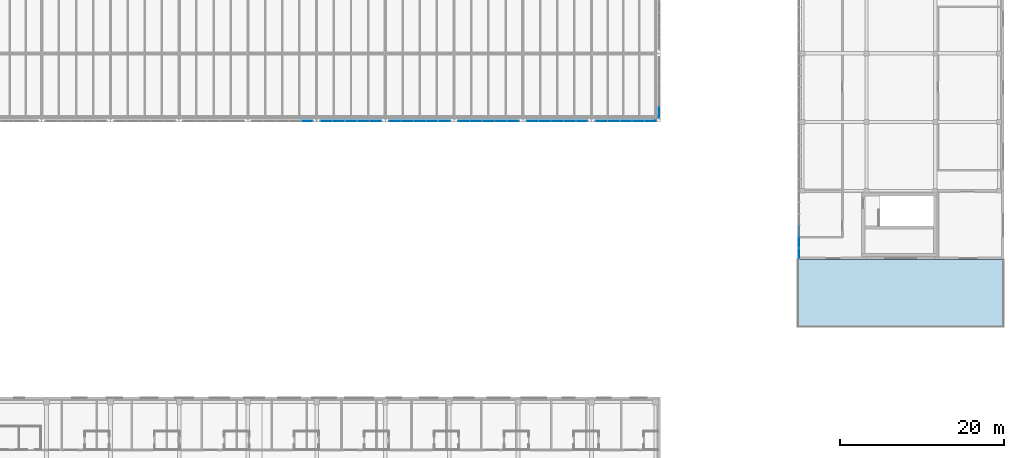
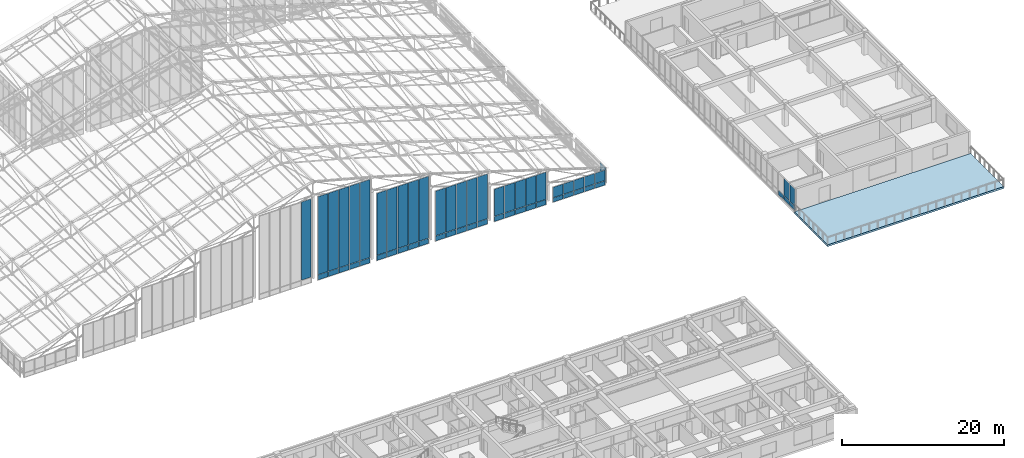
# One storey, part 106 of 144: 58 plates, 1 slab, 8 elements without a shape of their own.
"""IFC4 building model written with IfcOpenShell, lengths in metres."""

import ifcopenshell
import ifcopenshell.guid

model = None  # the IFC model being written
_history = None  # IfcOwnerHistory: only IFC2X3 demands one
_inside = {}  # id of a spatial element -> (the spatial element, [elements in it])
_under = {}  # id of a project, library or spatial element -> (it, [spatial elements below it])
_declared = {}  # id of a project -> (the project, [libraries it declares])
_typed = {}  # id of a type object -> (the type object, [elements of that type])
_made_of = {}  # id of a material, layer set ... -> (it, [elements and type objects made of it])


def new_model(schema):
    """Start an empty IFC model of exactly this schema.

    Asked for "IFC4X3", IfcOpenShell would pick the latest addendum, in which some entities
    have other attributes; the version numbers below select the first issue.
    IFC2X3 requires an IfcOwnerHistory on every rooted entity: one is made here for all.
    """
    global model, _history
    if schema == "IFC4X3":
        model = ifcopenshell.file(schema_version=(4, 3, 0, 0))
    else:
        model = ifcopenshell.file(schema=schema)
    _inside.clear()
    _under.clear()
    _declared.clear()
    _typed.clear()
    _made_of.clear()
    _history = None
    if model.schema == "IFC2X3":
        org = make("IfcOrganization", Name="unknown")
        user = make(
            "IfcPersonAndOrganization",
            ThePerson=make("IfcPerson", FamilyName="unknown"),
            TheOrganization=org,
        )
        app = make(
            "IfcApplication",
            ApplicationDeveloper=org,
            Version="unknown",
            ApplicationFullName="unknown",
            ApplicationIdentifier="unknown",
        )
        _history = make(
            "IfcOwnerHistory",
            OwningUser=user,
            OwningApplication=app,
            ChangeAction="ADDED",
            CreationDate=0,
        )
    return model


def make(cls, **values):
    """One entity of the class cls with the attributes given. An attribute that is None is left unset."""
    return model.create_entity(
        cls, **{name: value for name, value in values.items() if value is not None}
    )


def rooted(cls, **values):
    """An entity with a GlobalId (a new one), such as an element, a storey or a relation."""
    return make(cls, GlobalId=ifcopenshell.guid.new(), OwnerHistory=_history, **values)


def si_unit(unit_type, name, prefix=None):
    """IfcSIUnit, for example si_unit("LENGTHUNIT", "METRE", prefix="MILLI")."""
    return make("IfcSIUnit", UnitType=unit_type, Prefix=prefix, Name=name)


def assignment(units):
    """IfcUnitAssignment: the units of a project."""
    return None if units is None else make("IfcUnitAssignment", Units=units)


def point(xyz):
    """IfcCartesianPoint."""
    return None if xyz is None else make("IfcCartesianPoint", Coordinates=xyz)


def direction(xyz):
    """IfcDirection."""
    return None if xyz is None else make("IfcDirection", DirectionRatios=xyz)


def frame(location, z_axis=None, x_axis=None):
    """IfcAxis2Placement3D, a coordinate frame: its origin and axes. An axis left out is left unset."""
    return make(
        "IfcAxis2Placement3D",
        Location=point(location),
        Axis=direction(z_axis),
        RefDirection=direction(x_axis),
    )


def frame_2d(location, x_axis=None):
    """IfcAxis2Placement2D, a coordinate frame in the plane: its origin and x axis."""
    return make(
        "IfcAxis2Placement2D", Location=point(location), RefDirection=direction(x_axis)
    )


def origin():
    """The frame at (0, 0, 0) with its axes left unset."""
    return frame((0.0, 0.0, 0.0))


def origin_2d():
    """The frame at (0, 0) in the plane with its x axis left unset."""
    return frame_2d((0.0, 0.0))


def place(relative_to, where):
    """IfcLocalPlacement: puts the frame where relative to a parent placement (None: the world)."""
    return make(
        "IfcLocalPlacement", PlacementRelTo=relative_to, RelativePlacement=where
    )


def context(
    kind, dimensions, precision=None, world=None, true_north=None, identifier=None
):
    """IfcGeometricRepresentationContext, for example the 3D "Model" context."""
    return make(
        "IfcGeometricRepresentationContext",
        ContextIdentifier=identifier,
        ContextType=kind,
        CoordinateSpaceDimension=dimensions,
        Precision=precision,
        WorldCoordinateSystem=world,
        TrueNorth=true_north,
    )


def subcontext(parent, identifier, kind, view, scale=None):
    """IfcGeometricRepresentationSubContext, for example "Body" below "Model"."""
    return make(
        "IfcGeometricRepresentationSubContext",
        ContextIdentifier=identifier,
        ContextType=kind,
        ParentContext=parent,
        TargetScale=scale,
        TargetView=view,
    )


def project(units=None, contexts=None):
    """IfcProject with its units and contexts."""
    return rooted(
        "IfcProject",
        Name="project",
        RepresentationContexts=contexts,
        UnitsInContext=assignment(units),
    )


def spatial(cls, under=None, at=None, **own):
    """A site, building, storey or space (cls), placed at a placement, below another one or the project."""
    s = rooted(cls, ObjectPlacement=at, **own)
    if under is not None:
        _under.setdefault(under.id(), (under, []))[1].append(s)
    return s


def polyline(points):
    """IfcPolyline through the points."""
    return make("IfcPolyline", Points=[point(p) for p in points])


def profile(cls, at=None, kind="AREA", **sizes):
    """A parametric profile (cls). Its sizes go by their IFC names, for example OverallWidth=200.0."""
    return make(cls, ProfileType=kind, Position=at, **sizes)


def rectangle(**sizes):
    """IfcRectangleProfileDef."""
    return profile("IfcRectangleProfileDef", **sizes)


def outline(outer, holes=None, kind="AREA"):
    """IfcArbitraryClosedProfileDef: a profile drawn as a closed curve; with holes, ...WithVoids."""
    if holes is None:
        return make("IfcArbitraryClosedProfileDef", ProfileType=kind, OuterCurve=outer)
    return make(
        "IfcArbitraryProfileDefWithVoids",
        ProfileType=kind,
        OuterCurve=outer,
        InnerCurves=holes,
    )


def extrude(swept, where, along, depth):
    """IfcExtrudedAreaSolid: the profile swept, set in the frame where, extruded along a direction by depth."""
    return make(
        "IfcExtrudedAreaSolid",
        SweptArea=swept,
        Position=where,
        ExtrudedDirection=direction(along),
        Depth=depth,
    )


def shape(context_of_items, identifier, shape_type, items):
    """IfcShapeRepresentation: the items that make up one representation, for example the "Body"."""
    return make(
        "IfcShapeRepresentation",
        ContextOfItems=context_of_items,
        RepresentationIdentifier=identifier,
        RepresentationType=shape_type,
        Items=items,
    )


def material(Name=None, Category=None):
    """IfcMaterial."""
    return make("IfcMaterial", Name=Name, Category=Category)


def layer(
    of_material, thickness, ventilated=None, Name=None, Category=None, Priority=None
):
    """IfcMaterialLayer: one layer of a wall or slab, of a material (None: an air gap)."""
    return make(
        "IfcMaterialLayer",
        Material=of_material,
        LayerThickness=thickness,
        IsVentilated=ventilated,
        Name=Name,
        Category=Category,
        Priority=Priority,
    )


def layer_set(layers, Name=None):
    """IfcMaterialLayerSet."""
    return make("IfcMaterialLayerSet", MaterialLayers=layers, LayerSetName=Name)


def made_of(thing, what):
    """Note that an element or type object is made of a material, layer set ...; save() writes the relation."""
    if what is not None:
        _made_of.setdefault(what.id(), (what, []))[1].append(thing)
    return thing


def type_object(cls, material=None, **own):
    """A type object (cls), such as IfcWallType, which elements share."""
    return made_of(rooted(cls, **own), material)


def element(
    cls,
    number,
    at=None,
    inside=None,
    cuts=None,
    type_object=None,
    material=None,
    context=None,
    identifier="Body",
    shape_type=None,
    held_by="IfcProductDefinitionShape",
    body=None,
    shapes=None,
    **own,
):
    """One element of the class cls, such as IfcWall. Its Tag is "e" and its number.

    at: its placement. inside: the storey or other place that contains it. cuts: it is an
    opening in that element (IfcRelVoidsElement). A single representation is given by context,
    identifier, shape_type and body (its items); several are given by shapes. held_by: the class
    of the entity that holds the representations. save() writes the other relations.
    """
    e = rooted(cls, Tag="e%d" % number, ObjectPlacement=at, **own)
    if body is not None:
        shapes = [shape(context, identifier, shape_type, body)]
    if shapes is not None:
        e.Representation = make(held_by, Representations=shapes)
    if inside is not None:
        _inside.setdefault(inside.id(), (inside, []))[1].append(e)
    if cuts is not None:
        rooted(
            "IfcRelVoidsElement", RelatingBuildingElement=cuts, RelatedOpeningElement=e
        )
    if type_object is not None:
        _typed.setdefault(type_object.id(), (type_object, []))[1].append(e)
    return made_of(e, material)


def aggregate(whole, parts):
    """IfcRelAggregates: a whole, such as a stair, and the parts it consists of."""
    return rooted("IfcRelAggregates", RelatingObject=whole, RelatedObjects=parts)


def save(model, path):
    """Write the relations noted so far, then the file.

    IfcRelAggregates (storeys below a building ...), IfcRelContainedInSpatialStructure (elements
    in a storey), IfcRelDefinesByType, IfcRelAssociatesMaterial and IfcRelDeclares: one each for
    every whole, place, type object, material and project.
    """
    for whole, parts in _under.values():
        aggregate(whole, parts)
    for where, things in _inside.values():
        rooted(
            "IfcRelContainedInSpatialStructure",
            RelatedElements=things,
            RelatingStructure=where,
        )
    for kind, things in _typed.values():
        rooted("IfcRelDefinesByType", RelatedObjects=things, RelatingType=kind)
    for what, things in _made_of.values():
        rooted("IfcRelAssociatesMaterial", RelatedObjects=things, RelatingMaterial=what)
    for by, libraries in _declared.values():
        rooted("IfcRelDeclares", RelatingContext=by, RelatedDefinitions=libraries)
    model.write(path)


model = new_model("IFC4")

# Units and contexts
model_context = context("Model", 3, precision=1e-05, world=origin(), true_north=direction((0.0, 1.0)))
body_context = subcontext(model_context, "Body", "Model", "MODEL_VIEW")
ifc_project = project(units=[si_unit("LENGTHUNIT", "METRE"), si_unit("AREAUNIT", "SQUARE_METRE"), si_unit("VOLUMEUNIT", "CUBIC_METRE"), si_unit("PLANEANGLEUNIT", "RADIAN"), si_unit("MASSUNIT", "GRAM", prefix="KILO")], contexts=[model_context])

# Site, building, storey
site_placement = place(None, origin())
site = spatial("IfcSite", under=ifc_project, at=site_placement, CompositionType="ELEMENT")
building_placement = place(site_placement, origin())
building = spatial("IfcBuilding", under=site, at=building_placement, Name="Zayran Congress Hotel", CompositionType="ELEMENT")
storey_placement = place(building_placement, frame((0.0, 0.0, 19.199951171875)))
storey = spatial("IfcBuildingStorey", under=building, at=storey_placement, Name="L04", CompositionType="ELEMENT", Elevation=19.199951171875)

# Slab
ifc_material_1 = material(Name="Concrete C32/40", Category="concrete")
ifc_layer_1 = layer(ifc_material_1, 0.280029296875)
ifc_layer_set_1 = layer_set([ifc_layer_1], Name="Concrete C32/40")
slab_type = type_object("IfcSlabType", Name="SL-TR-280", PredefinedType="FLOOR", material=ifc_layer_set_1)
slab_placement = place(storey_placement, frame((0.0, 0.0, -0.280029296875)))
element("IfcSlab", 1, at=slab_placement, inside=storey, type_object=slab_type, Name="V4 L04 Planted Roof Terrace Slab 1", PredefinedType="FLOOR", context=body_context, shape_type="SweptSolid", body=[
    extrude(outline(polyline([(109.199951171875, 42.550048828125), (134.39990234375, 42.550048828125), (134.39990234375, 50.800048828125), (109.199951171875, 50.800048828125), (109.199951171875, 42.550048828125)])), origin(), (0.0, 0.0, 1.0), 0.280029296875),
])

# Curtain wall, plates
ifc_material_2 = material(Name="Anodised aluminium and low-E insulated glass", Category="aluminium")
ifc_layer_2 = layer(ifc_material_2, 0.179931640625)
ifc_layer_set_2 = layer_set([ifc_layer_2], Name="Anodised aluminium and low-E insulated glass")
curtain_wall_type_1 = type_object("IfcCurtainWallType", Name="CW-V1CL-L04-CW-13-7560-12720", PredefinedType="USERDEFINED", material=ifc_layer_set_2)
curtain_wall_1_placement = place(storey_placement, origin())
curtain_wall_1 = element("IfcCurtainWall", 2, at=curtain_wall_1_placement, inside=storey, type_object=curtain_wall_type_1, Name="CW-V1CLS-5", ObjectType="CURTAIN WALL", PredefinedType="USERDEFINED")
ifc_material_3 = material(Name="Insulated warm bronze aluminium spandrel panel", Category="aluminium")
ifc_layer_3 = layer(ifc_material_3, 0.06005859375)
ifc_layer_set_3 = layer_set([ifc_layer_3], Name="Insulated warm bronze aluminium spandrel panel")
plate_type_1 = type_object("IfcPlateType", Name="CWP-SP-1392-750", PredefinedType="CURTAIN_PANEL", material=ifc_layer_set_3)
plate_1_placement = place(storey_placement, frame((51.595947265625, 67.75, -0.159912109375), z_axis=(0.0, 0.0, 1.0), x_axis=(1.0, 0.0, 0.0)))
plate_1 = element("IfcPlate", 3, at=plate_1_placement, type_object=plate_type_1, Name="CW-13 Spandrel Panel 1", PredefinedType="CURTAIN_PANEL", context=body_context, shape_type="SweptSolid", body=[
    extrude(rectangle(XDim=1.39208984375, YDim=0.06005859375, at=origin_2d()), origin(), (0.0, 0.0, 1.0), 0.75),
])
plate_2_placement = place(storey_placement, frame((53.087890625, 67.75, -0.159912109375), z_axis=(0.0, 0.0, 1.0), x_axis=(1.0, 0.0, 0.0)))
plate_2 = element("IfcPlate", 4, at=plate_2_placement, type_object=plate_type_1, Name="CW-13 Spandrel Panel 2", PredefinedType="CURTAIN_PANEL", context=body_context, shape_type="SweptSolid", body=[
    extrude(rectangle(XDim=1.431884765625, YDim=0.06005859375, at=origin_2d()), origin(), (0.0, 0.0, 1.0), 0.75),
])
plate_3_placement = place(storey_placement, frame((54.60009765625, 67.75, -0.159912109375), z_axis=(0.0, 0.0, 1.0), x_axis=(1.0, 0.0, 0.0)))
plate_3 = element("IfcPlate", 5, at=plate_3_placement, type_object=plate_type_1, Name="CW-13 Spandrel Panel 3", PredefinedType="CURTAIN_PANEL", context=body_context, shape_type="SweptSolid", body=[
    extrude(rectangle(XDim=1.431884765625, YDim=0.06005859375, at=origin_2d()), origin(), (0.0, 0.0, 1.0), 0.75),
])
plate_4_placement = place(storey_placement, frame((56.112060546875, 67.75, -0.159912109375), z_axis=(0.0, 0.0, 1.0), x_axis=(1.0, 0.0, 0.0)))
plate_4 = element("IfcPlate", 6, at=plate_4_placement, type_object=plate_type_1, Name="CW-13 Spandrel Panel 4", PredefinedType="CURTAIN_PANEL", context=body_context, shape_type="SweptSolid", body=[
    extrude(rectangle(XDim=1.431884765625, YDim=0.06005859375, at=origin_2d()), origin(), (0.0, 0.0, 1.0), 0.75),
])
plate_5_placement = place(storey_placement, frame((57.60400390625, 67.75, -0.159912109375), z_axis=(0.0, 0.0, 1.0), x_axis=(1.0, 0.0, 0.0)))
plate_5 = element("IfcPlate", 7, at=plate_5_placement, type_object=plate_type_1, Name="CW-13 Spandrel Panel 5", PredefinedType="CURTAIN_PANEL", context=body_context, shape_type="SweptSolid", body=[
    extrude(rectangle(XDim=1.39208984375, YDim=0.06005859375, at=origin_2d()), origin(), (0.0, 0.0, 1.0), 0.75),
])

ifc_layer_4 = layer(ifc_material_2, 0.179931640625)
ifc_layer_set_4 = layer_set([ifc_layer_4], Name="Anodised aluminium and low-E insulated glass")
curtain_wall_type_2 = type_object("IfcCurtainWallType", Name="CW-V1CL-L04-CW-11-7560-10270", PredefinedType="USERDEFINED", material=ifc_layer_set_4)
curtain_wall_2_placement = place(storey_placement, origin())
curtain_wall_2 = element("IfcCurtainWall", 8, at=curtain_wall_2_placement, inside=storey, type_object=curtain_wall_type_2, Name="CW-V1CLS-6", ObjectType="CURTAIN WALL", PredefinedType="USERDEFINED")
plate_6_placement = place(storey_placement, frame((59.99609375, 67.75, -0.159912109375), z_axis=(0.0, 0.0, 1.0), x_axis=(1.0, 0.0, 0.0)))
plate_6 = element("IfcPlate", 9, at=plate_6_placement, type_object=plate_type_1, Name="CW-11 Spandrel Panel 1", PredefinedType="CURTAIN_PANEL", context=body_context, shape_type="SweptSolid", body=[
    extrude(rectangle(XDim=1.39208984375, YDim=0.06005859375, at=origin_2d()), origin(), (0.0, 0.0, 1.0), 0.75),
])
plate_7_placement = place(storey_placement, frame((61.488037109375, 67.75, -0.159912109375), z_axis=(0.0, 0.0, 1.0), x_axis=(1.0, 0.0, 0.0)))
plate_7 = element("IfcPlate", 10, at=plate_7_placement, type_object=plate_type_1, Name="CW-11 Spandrel Panel 2", PredefinedType="CURTAIN_PANEL", context=body_context, shape_type="SweptSolid", body=[
    extrude(rectangle(XDim=1.431884765625, YDim=0.06005859375, at=origin_2d()), origin(), (0.0, 0.0, 1.0), 0.75),
])
plate_8_placement = place(storey_placement, frame((63.0, 67.75, -0.159912109375), z_axis=(0.0, 0.0, 1.0), x_axis=(1.0, 0.0, 0.0)))
plate_8 = element("IfcPlate", 11, at=plate_8_placement, type_object=plate_type_1, Name="CW-11 Spandrel Panel 3", PredefinedType="CURTAIN_PANEL", context=body_context, shape_type="SweptSolid", body=[
    extrude(rectangle(XDim=1.431884765625, YDim=0.06005859375, at=origin_2d()), origin(), (0.0, 0.0, 1.0), 0.75),
])
plate_9_placement = place(storey_placement, frame((64.511962890625, 67.75, -0.159912109375), z_axis=(0.0, 0.0, 1.0), x_axis=(1.0, 0.0, 0.0)))
plate_9 = element("IfcPlate", 12, at=plate_9_placement, type_object=plate_type_1, Name="CW-11 Spandrel Panel 4", PredefinedType="CURTAIN_PANEL", context=body_context, shape_type="SweptSolid", body=[
    extrude(rectangle(XDim=1.431884765625, YDim=0.06005859375, at=origin_2d()), origin(), (0.0, 0.0, 1.0), 0.75),
])
plate_10_placement = place(storey_placement, frame((66.00390625, 67.75, -0.159912109375), z_axis=(0.0, 0.0, 1.0), x_axis=(1.0, 0.0, 0.0)))
plate_10 = element("IfcPlate", 13, at=plate_10_placement, type_object=plate_type_1, Name="CW-11 Spandrel Panel 5", PredefinedType="CURTAIN_PANEL", context=body_context, shape_type="SweptSolid", body=[
    extrude(rectangle(XDim=1.39208984375, YDim=0.06005859375, at=origin_2d()), origin(), (0.0, 0.0, 1.0), 0.75),
])

ifc_layer_5 = layer(ifc_material_2, 0.179931640625)
ifc_layer_set_5 = layer_set([ifc_layer_5], Name="Anodised aluminium and low-E insulated glass")
curtain_wall_type_3 = type_object("IfcCurtainWallType", Name="CW-V1CL-L04-CW-12-7560-7670", PredefinedType="USERDEFINED", material=ifc_layer_set_5)
curtain_wall_3_placement = place(storey_placement, origin())
curtain_wall_3 = element("IfcCurtainWall", 14, at=curtain_wall_3_placement, inside=storey, type_object=curtain_wall_type_3, Name="CW-V1CLS-7", ObjectType="CURTAIN WALL", PredefinedType="USERDEFINED")
plate_11_placement = place(storey_placement, frame((68.39599609375, 67.75, -0.159912109375), z_axis=(0.0, 0.0, 1.0), x_axis=(1.0, 0.0, 0.0)))
plate_11 = element("IfcPlate", 15, at=plate_11_placement, type_object=plate_type_1, Name="CW-12 Spandrel Panel 1", PredefinedType="CURTAIN_PANEL", context=body_context, shape_type="SweptSolid", body=[
    extrude(rectangle(XDim=1.39208984375, YDim=0.06005859375, at=origin_2d()), origin(), (0.0, 0.0, 1.0), 0.75),
])
plate_12_placement = place(storey_placement, frame((69.887939453125, 67.75, -0.159912109375), z_axis=(0.0, 0.0, 1.0), x_axis=(1.0, 0.0, 0.0)))
plate_12 = element("IfcPlate", 16, at=plate_12_placement, type_object=plate_type_1, Name="CW-12 Spandrel Panel 2", PredefinedType="CURTAIN_PANEL", context=body_context, shape_type="SweptSolid", body=[
    extrude(rectangle(XDim=1.431884765625, YDim=0.06005859375, at=origin_2d()), origin(), (0.0, 0.0, 1.0), 0.75),
])
plate_13_placement = place(storey_placement, frame((71.39990234375, 67.75, -0.159912109375), z_axis=(0.0, 0.0, 1.0), x_axis=(1.0, 0.0, 0.0)))
plate_13 = element("IfcPlate", 17, at=plate_13_placement, type_object=plate_type_1, Name="CW-12 Spandrel Panel 3", PredefinedType="CURTAIN_PANEL", context=body_context, shape_type="SweptSolid", body=[
    extrude(rectangle(XDim=1.431884765625, YDim=0.06005859375, at=origin_2d()), origin(), (0.0, 0.0, 1.0), 0.75),
])
plate_14_placement = place(storey_placement, frame((72.912109375, 67.75, -0.159912109375), z_axis=(0.0, 0.0, 1.0), x_axis=(1.0, 0.0, 0.0)))
plate_14 = element("IfcPlate", 18, at=plate_14_placement, type_object=plate_type_1, Name="CW-12 Spandrel Panel 4", PredefinedType="CURTAIN_PANEL", context=body_context, shape_type="SweptSolid", body=[
    extrude(rectangle(XDim=1.431884765625, YDim=0.06005859375, at=origin_2d()), origin(), (0.0, 0.0, 1.0), 0.75),
])
plate_15_placement = place(storey_placement, frame((74.404052734375, 67.75, -0.159912109375), z_axis=(0.0, 0.0, 1.0), x_axis=(1.0, 0.0, 0.0)))
plate_15 = element("IfcPlate", 19, at=plate_15_placement, type_object=plate_type_1, Name="CW-12 Spandrel Panel 5", PredefinedType="CURTAIN_PANEL", context=body_context, shape_type="SweptSolid", body=[
    extrude(rectangle(XDim=1.39208984375, YDim=0.06005859375, at=origin_2d()), origin(), (0.0, 0.0, 1.0), 0.75),
])

ifc_layer_6 = layer(ifc_material_2, 0.179931640625)
ifc_layer_set_6 = layer_set([ifc_layer_6], Name="Anodised aluminium and low-E insulated glass")
curtain_wall_type_4 = type_object("IfcCurtainWallType", Name="CW-V1CL-L04-CW-13-7560-5020", PredefinedType="USERDEFINED", material=ifc_layer_set_6)
curtain_wall_4_placement = place(storey_placement, origin())
curtain_wall_4 = element("IfcCurtainWall", 20, at=curtain_wall_4_placement, inside=storey, type_object=curtain_wall_type_4, Name="CW-V1CLS-8", ObjectType="CURTAIN WALL", PredefinedType="USERDEFINED")
plate_16_placement = place(storey_placement, frame((76.7958984375, 67.75, -0.159912109375), z_axis=(0.0, 0.0, 1.0), x_axis=(1.0, 0.0, 0.0)))
plate_16 = element("IfcPlate", 21, at=plate_16_placement, type_object=plate_type_1, Name="CW-13 Spandrel Panel 1", PredefinedType="CURTAIN_PANEL", context=body_context, shape_type="SweptSolid", body=[
    extrude(rectangle(XDim=1.39208984375, YDim=0.06005859375, at=origin_2d()), origin(), (0.0, 0.0, 1.0), 0.75),
])
plate_17_placement = place(storey_placement, frame((78.2880859375, 67.75, -0.159912109375), z_axis=(0.0, 0.0, 1.0), x_axis=(1.0, 0.0, 0.0)))
plate_17 = element("IfcPlate", 22, at=plate_17_placement, type_object=plate_type_1, Name="CW-13 Spandrel Panel 2", PredefinedType="CURTAIN_PANEL", context=body_context, shape_type="SweptSolid", body=[
    extrude(rectangle(XDim=1.431884765625, YDim=0.06005859375, at=origin_2d()), origin(), (0.0, 0.0, 1.0), 0.75),
])
plate_18_placement = place(storey_placement, frame((79.800048828125, 67.75, -0.159912109375), z_axis=(0.0, 0.0, 1.0), x_axis=(1.0, 0.0, 0.0)))
plate_18 = element("IfcPlate", 23, at=plate_18_placement, type_object=plate_type_1, Name="CW-13 Spandrel Panel 3", PredefinedType="CURTAIN_PANEL", context=body_context, shape_type="SweptSolid", body=[
    extrude(rectangle(XDim=1.431884765625, YDim=0.06005859375, at=origin_2d()), origin(), (0.0, 0.0, 1.0), 0.75),
])
plate_19_placement = place(storey_placement, frame((81.31201171875, 67.75, -0.159912109375), z_axis=(0.0, 0.0, 1.0), x_axis=(1.0, 0.0, 0.0)))
plate_19 = element("IfcPlate", 24, at=plate_19_placement, type_object=plate_type_1, Name="CW-13 Spandrel Panel 4", PredefinedType="CURTAIN_PANEL", context=body_context, shape_type="SweptSolid", body=[
    extrude(rectangle(XDim=1.431884765625, YDim=0.06005859375, at=origin_2d()), origin(), (0.0, 0.0, 1.0), 0.75),
])
plate_20_placement = place(storey_placement, frame((82.803955078125, 67.75, -0.159912109375), z_axis=(0.0, 0.0, 1.0), x_axis=(1.0, 0.0, 0.0)))
plate_20 = element("IfcPlate", 25, at=plate_20_placement, type_object=plate_type_1, Name="CW-13 Spandrel Panel 5", PredefinedType="CURTAIN_PANEL", context=body_context, shape_type="SweptSolid", body=[
    extrude(rectangle(XDim=1.39208984375, YDim=0.06005859375, at=origin_2d()), origin(), (0.0, 0.0, 1.0), 0.75),
])

ifc_layer_7 = layer(ifc_material_2, 0.179931640625)
ifc_layer_set_7 = layer_set([ifc_layer_7], Name="Anodised aluminium and low-E insulated glass")
curtain_wall_type_5 = type_object("IfcCurtainWallType", Name="CW-V4W-L04-CW-51-8395-3360", PredefinedType="USERDEFINED", material=ifc_layer_set_7)
curtain_wall_5_placement = place(storey_placement, origin())
curtain_wall_5 = element("IfcCurtainWall", 26, at=curtain_wall_5_placement, inside=storey, type_object=curtain_wall_type_5, Name="CW-V4W-L04-0", ObjectType="CURTAIN WALL", PredefinedType="USERDEFINED")
ifc_layer_8 = layer(ifc_material_2, 0.028076171875)
ifc_layer_set_8 = layer_set([ifc_layer_8], Name="Anodised aluminium and low-E insulated glass")
plate_type_2 = type_object("IfcPlateType", Name="CWP-GL-1279-2550", PredefinedType="CURTAIN_PANEL", material=ifc_layer_set_8)
plate_21_placement = place(storey_placement, frame((109.35009765625, 52.898681640625, 0.75), z_axis=(0.0, 0.0, 1.0), x_axis=(0.0, 1.0, 0.0)))
plate_21 = element("IfcPlate", 27, at=plate_21_placement, type_object=plate_type_2, Name="CW-51 Glazed Panel 5", PredefinedType="CURTAIN_PANEL", context=body_context, shape_type="SweptSolid", body=[
    extrude(rectangle(XDim=1.319091796875, YDim=0.028076171875, at=origin_2d()), origin(), (0.0, 0.0, 1.0), 2.550048828125),
])
plate_22_placement = place(storey_placement, frame((109.35009765625, 51.51953125, 0.75), z_axis=(0.0, 0.0, 1.0), x_axis=(0.0, 1.0, 0.0)))
plate_22 = element("IfcPlate", 28, at=plate_22_placement, type_object=plate_type_2, Name="CW-51 Glazed Panel 6", PredefinedType="CURTAIN_PANEL", context=body_context, shape_type="SweptSolid", body=[
    extrude(rectangle(XDim=1.279296875, YDim=0.028076171875, at=origin_2d()), origin(), (0.0, 0.0, 1.0), 2.550048828125),
])
ifc_layer_9 = layer(ifc_material_3, 0.06005859375)
ifc_layer_set_9 = layer_set([ifc_layer_9], Name="Insulated warm bronze aluminium spandrel panel")
plate_type_3 = type_object("IfcPlateType", Name="CWP-SP-1279-630", PredefinedType="CURTAIN_PANEL", material=ifc_layer_set_9)
plate_23_placement = place(storey_placement, frame((109.35009765625, 54.2978515625, 0.06005859375), z_axis=(0.0, 0.0, 1.0), x_axis=(0.0, 1.0, 0.0)))
plate_23 = element("IfcPlate", 29, at=plate_23_placement, type_object=plate_type_3, Name="CW-51 Spandrel Panel 4", PredefinedType="CURTAIN_PANEL", context=body_context, shape_type="SweptSolid", body=[
    extrude(rectangle(XDim=1.319091796875, YDim=0.06005859375, at=origin_2d()), origin(), (0.0, 0.0, 1.0), 0.6298828125),
])
plate_24_placement = place(storey_placement, frame((109.35009765625, 52.898681640625, 0.06005859375), z_axis=(0.0, 0.0, 1.0), x_axis=(0.0, 1.0, 0.0)))
plate_24 = element("IfcPlate", 30, at=plate_24_placement, type_object=plate_type_3, Name="CW-51 Spandrel Panel 5", PredefinedType="CURTAIN_PANEL", context=body_context, shape_type="SweptSolid", body=[
    extrude(rectangle(XDim=1.319091796875, YDim=0.06005859375, at=origin_2d()), origin(), (0.0, 0.0, 1.0), 0.6298828125),
])
plate_25_placement = place(storey_placement, frame((109.35009765625, 51.51953125, 0.06005859375), z_axis=(0.0, 0.0, 1.0), x_axis=(0.0, 1.0, 0.0)))
plate_25 = element("IfcPlate", 31, at=plate_25_placement, type_object=plate_type_3, Name="CW-51 Spandrel Panel 6", PredefinedType="CURTAIN_PANEL", context=body_context, shape_type="SweptSolid", body=[
    extrude(rectangle(XDim=1.279296875, YDim=0.06005859375, at=origin_2d()), origin(), (0.0, 0.0, 1.0), 0.6298828125),
])
aggregate(curtain_wall_5, [plate_23, plate_24, plate_21, plate_25, plate_22])

# Curtain wall, plate
ifc_layer_10 = layer(ifc_material_2, 0.179931640625)
ifc_layer_set_10 = layer_set([ifc_layer_10], Name="Anodised aluminium and low-E insulated glass")
curtain_wall_type_6 = type_object("IfcCurtainWallType", Name="CW-V1CL-L04-CW-41-7560-2370", PredefinedType="USERDEFINED", material=ifc_layer_set_10)
curtain_wall_6_placement = place(storey_placement, origin())
curtain_wall_6 = element("IfcCurtainWall", 32, at=curtain_wall_6_placement, inside=storey, type_object=curtain_wall_type_6, Name="CW-V1CLE-0", ObjectType="CURTAIN WALL", PredefinedType="USERDEFINED")
ifc_layer_11 = layer(ifc_material_3, 0.06005859375)
ifc_layer_set_11 = layer_set([ifc_layer_11], Name="Insulated warm bronze aluminium spandrel panel")
plate_type_4 = type_object("IfcPlateType", Name="CWP-SP-1392-630", PredefinedType="CURTAIN_PANEL", material=ifc_layer_set_11)
plate_26_placement = place(storey_placement, frame((92.25, 68.7958984375, -0.159912109375), z_axis=(0.0, 0.0, 1.0), x_axis=(0.0, 1.0, 0.0)))
plate_26 = element("IfcPlate", 33, at=plate_26_placement, type_object=plate_type_4, Name="CW-41 Spandrel Panel 1", PredefinedType="CURTAIN_PANEL", context=body_context, shape_type="SweptSolid", body=[
    extrude(rectangle(XDim=1.39208984375, YDim=0.06005859375, at=origin_2d()), origin(), (0.0, 0.0, 1.0), 0.6298828125),
])

# Curtain wall, plates
ifc_layer_12 = layer(ifc_material_2, 0.179931640625)
ifc_layer_set_12 = layer_set([ifc_layer_12], Name="Anodised aluminium and low-E insulated glass")
curtain_wall_type_7 = type_object("IfcCurtainWallType", Name="CW-V1CL-L04-CW-11-7560-2370", PredefinedType="USERDEFINED", material=ifc_layer_set_12)
curtain_wall_7_placement = place(storey_placement, origin())
curtain_wall_7 = element("IfcCurtainWall", 34, at=curtain_wall_7_placement, inside=storey, type_object=curtain_wall_type_7, Name="CW-V1CLS-9", ObjectType="CURTAIN WALL", PredefinedType="USERDEFINED")
plate_27_placement = place(storey_placement, frame((85.196044921875, 67.75, -0.159912109375), z_axis=(0.0, 0.0, 1.0), x_axis=(1.0, 0.0, 0.0)))
plate_27 = element("IfcPlate", 35, at=plate_27_placement, type_object=plate_type_4, Name="CW-11 Spandrel Panel 1", PredefinedType="CURTAIN_PANEL", context=body_context, shape_type="SweptSolid", body=[
    extrude(rectangle(XDim=1.39208984375, YDim=0.06005859375, at=origin_2d()), origin(), (0.0, 0.0, 1.0), 0.6298828125),
])
plate_28_placement = place(storey_placement, frame((86.68798828125, 67.75, -0.159912109375), z_axis=(0.0, 0.0, 1.0), x_axis=(1.0, 0.0, 0.0)))
plate_28 = element("IfcPlate", 36, at=plate_28_placement, type_object=plate_type_4, Name="CW-11 Spandrel Panel 2", PredefinedType="CURTAIN_PANEL", context=body_context, shape_type="SweptSolid", body=[
    extrude(rectangle(XDim=1.431884765625, YDim=0.06005859375, at=origin_2d()), origin(), (0.0, 0.0, 1.0), 0.6298828125),
])
plate_29_placement = place(storey_placement, frame((88.199951171875, 67.75, -0.159912109375), z_axis=(0.0, 0.0, 1.0), x_axis=(1.0, 0.0, 0.0)))
plate_29 = element("IfcPlate", 37, at=plate_29_placement, type_object=plate_type_4, Name="CW-11 Spandrel Panel 3", PredefinedType="CURTAIN_PANEL", context=body_context, shape_type="SweptSolid", body=[
    extrude(rectangle(XDim=1.431884765625, YDim=0.06005859375, at=origin_2d()), origin(), (0.0, 0.0, 1.0), 0.6298828125),
])
plate_30_placement = place(storey_placement, frame((89.7119140625, 67.75, -0.159912109375), z_axis=(0.0, 0.0, 1.0), x_axis=(1.0, 0.0, 0.0)))
plate_30 = element("IfcPlate", 38, at=plate_30_placement, type_object=plate_type_4, Name="CW-11 Spandrel Panel 4", PredefinedType="CURTAIN_PANEL", context=body_context, shape_type="SweptSolid", body=[
    extrude(rectangle(XDim=1.431884765625, YDim=0.06005859375, at=origin_2d()), origin(), (0.0, 0.0, 1.0), 0.6298828125),
])
plate_31_placement = place(storey_placement, frame((91.2041015625, 67.75, -0.159912109375), z_axis=(0.0, 0.0, 1.0), x_axis=(1.0, 0.0, 0.0)))
plate_31 = element("IfcPlate", 39, at=plate_31_placement, type_object=plate_type_4, Name="CW-11 Spandrel Panel 5", PredefinedType="CURTAIN_PANEL", context=body_context, shape_type="SweptSolid", body=[
    extrude(rectangle(XDim=1.39208984375, YDim=0.06005859375, at=origin_2d()), origin(), (0.0, 0.0, 1.0), 0.6298828125),
])

# Plate
ifc_layer_13 = layer(ifc_material_3, 0.06005859375)
ifc_layer_set_13 = layer_set([ifc_layer_13], Name="Insulated warm bronze aluminium spandrel panel")
plate_type_5 = type_object("IfcPlateType", Name="CWP-SP-1392-1560", PredefinedType="CURTAIN_PANEL", material=ifc_layer_set_13)
plate_32_placement = place(storey_placement, frame((92.25, 68.7958984375, 0.530029296875), z_axis=(0.0, 0.0, 1.0), x_axis=(0.0, 1.0, 0.0)))
plate_32 = element("IfcPlate", 40, at=plate_32_placement, type_object=plate_type_5, Name="CW-41 Upper Spandrel Panel 1", PredefinedType="CURTAIN_PANEL", context=body_context, shape_type="SweptSolid", body=[
    extrude(rectangle(XDim=1.39208984375, YDim=0.06005859375, at=origin_2d()), origin(), (0.0, 0.0, 1.0), 1.56005859375),
])

aggregate(curtain_wall_6, [plate_26, plate_32])

plate_33_placement = place(storey_placement, frame((85.196044921875, 67.75, 0.530029296875), z_axis=(0.0, 0.0, 1.0), x_axis=(1.0, 0.0, 0.0)))
plate_33 = element("IfcPlate", 41, at=plate_33_placement, type_object=plate_type_5, Name="CW-11 Upper Spandrel Panel 1", PredefinedType="CURTAIN_PANEL", context=body_context, shape_type="SweptSolid", body=[
    extrude(rectangle(XDim=1.39208984375, YDim=0.06005859375, at=origin_2d()), origin(), (0.0, 0.0, 1.0), 1.56005859375),
])

plate_34_placement = place(storey_placement, frame((86.68798828125, 67.75, 0.530029296875), z_axis=(0.0, 0.0, 1.0), x_axis=(1.0, 0.0, 0.0)))
plate_34 = element("IfcPlate", 42, at=plate_34_placement, type_object=plate_type_5, Name="CW-11 Upper Spandrel Panel 2", PredefinedType="CURTAIN_PANEL", context=body_context, shape_type="SweptSolid", body=[
    extrude(rectangle(XDim=1.431884765625, YDim=0.06005859375, at=origin_2d()), origin(), (0.0, 0.0, 1.0), 1.56005859375),
])

plate_35_placement = place(storey_placement, frame((88.199951171875, 67.75, 0.530029296875), z_axis=(0.0, 0.0, 1.0), x_axis=(1.0, 0.0, 0.0)))
plate_35 = element("IfcPlate", 43, at=plate_35_placement, type_object=plate_type_5, Name="CW-11 Upper Spandrel Panel 3", PredefinedType="CURTAIN_PANEL", context=body_context, shape_type="SweptSolid", body=[
    extrude(rectangle(XDim=1.431884765625, YDim=0.06005859375, at=origin_2d()), origin(), (0.0, 0.0, 1.0), 1.56005859375),
])

plate_36_placement = place(storey_placement, frame((89.7119140625, 67.75, 0.530029296875), z_axis=(0.0, 0.0, 1.0), x_axis=(1.0, 0.0, 0.0)))
plate_36 = element("IfcPlate", 44, at=plate_36_placement, type_object=plate_type_5, Name="CW-11 Upper Spandrel Panel 4", PredefinedType="CURTAIN_PANEL", context=body_context, shape_type="SweptSolid", body=[
    extrude(rectangle(XDim=1.431884765625, YDim=0.06005859375, at=origin_2d()), origin(), (0.0, 0.0, 1.0), 1.56005859375),
])

plate_37_placement = place(storey_placement, frame((91.2041015625, 67.75, 0.530029296875), z_axis=(0.0, 0.0, 1.0), x_axis=(1.0, 0.0, 0.0)))
plate_37 = element("IfcPlate", 45, at=plate_37_placement, type_object=plate_type_5, Name="CW-11 Upper Spandrel Panel 5", PredefinedType="CURTAIN_PANEL", context=body_context, shape_type="SweptSolid", body=[
    extrude(rectangle(XDim=1.39208984375, YDim=0.06005859375, at=origin_2d()), origin(), (0.0, 0.0, 1.0), 1.56005859375),
])

aggregate(curtain_wall_7, [plate_27, plate_33, plate_28, plate_34, plate_29, plate_35, plate_30, plate_36, plate_31, plate_37])

ifc_layer_14 = layer(ifc_material_3, 0.06005859375)
ifc_layer_set_14 = layer_set([ifc_layer_14], Name="Insulated warm bronze aluminium spandrel panel")
plate_type_6 = type_object("IfcPlateType", Name="CWP-SP-1392-4090", PredefinedType="CURTAIN_PANEL", material=ifc_layer_set_14)
plate_38_placement = place(storey_placement, frame((76.7958984375, 67.75, 0.64990234375), z_axis=(0.0, 0.0, 1.0), x_axis=(1.0, 0.0, 0.0)))
plate_38 = element("IfcPlate", 46, at=plate_38_placement, type_object=plate_type_6, Name="CW-13 Upper Spandrel Panel 1", PredefinedType="CURTAIN_PANEL", context=body_context, shape_type="SweptSolid", body=[
    extrude(rectangle(XDim=1.39208984375, YDim=0.06005859375, at=origin_2d()), origin(), (0.0, 0.0, 1.0), 4.090087890625),
])

plate_39_placement = place(storey_placement, frame((78.2880859375, 67.75, 0.64990234375), z_axis=(0.0, 0.0, 1.0), x_axis=(1.0, 0.0, 0.0)))
plate_39 = element("IfcPlate", 47, at=plate_39_placement, type_object=plate_type_6, Name="CW-13 Upper Spandrel Panel 2", PredefinedType="CURTAIN_PANEL", context=body_context, shape_type="SweptSolid", body=[
    extrude(rectangle(XDim=1.431884765625, YDim=0.06005859375, at=origin_2d()), origin(), (0.0, 0.0, 1.0), 4.090087890625),
])

plate_40_placement = place(storey_placement, frame((79.800048828125, 67.75, 0.64990234375), z_axis=(0.0, 0.0, 1.0), x_axis=(1.0, 0.0, 0.0)))
plate_40 = element("IfcPlate", 48, at=plate_40_placement, type_object=plate_type_6, Name="CW-13 Upper Spandrel Panel 3", PredefinedType="CURTAIN_PANEL", context=body_context, shape_type="SweptSolid", body=[
    extrude(rectangle(XDim=1.431884765625, YDim=0.06005859375, at=origin_2d()), origin(), (0.0, 0.0, 1.0), 4.090087890625),
])

plate_41_placement = place(storey_placement, frame((81.31201171875, 67.75, 0.64990234375), z_axis=(0.0, 0.0, 1.0), x_axis=(1.0, 0.0, 0.0)))
plate_41 = element("IfcPlate", 49, at=plate_41_placement, type_object=plate_type_6, Name="CW-13 Upper Spandrel Panel 4", PredefinedType="CURTAIN_PANEL", context=body_context, shape_type="SweptSolid", body=[
    extrude(rectangle(XDim=1.431884765625, YDim=0.06005859375, at=origin_2d()), origin(), (0.0, 0.0, 1.0), 4.090087890625),
])

plate_42_placement = place(storey_placement, frame((82.803955078125, 67.75, 0.64990234375), z_axis=(0.0, 0.0, 1.0), x_axis=(1.0, 0.0, 0.0)))
plate_42 = element("IfcPlate", 50, at=plate_42_placement, type_object=plate_type_6, Name="CW-13 Upper Spandrel Panel 5", PredefinedType="CURTAIN_PANEL", context=body_context, shape_type="SweptSolid", body=[
    extrude(rectangle(XDim=1.39208984375, YDim=0.06005859375, at=origin_2d()), origin(), (0.0, 0.0, 1.0), 4.090087890625),
])

aggregate(curtain_wall_4, [plate_16, plate_38, plate_17, plate_39, plate_18, plate_40, plate_19, plate_41, plate_20, plate_42])

ifc_layer_15 = layer(ifc_material_3, 0.06005859375)
ifc_layer_set_15 = layer_set([ifc_layer_15], Name="Insulated warm bronze aluminium spandrel panel")
plate_type_7 = type_object("IfcPlateType", Name="CWP-SP-1392-6740", PredefinedType="CURTAIN_PANEL", material=ifc_layer_set_15)
plate_43_placement = place(storey_placement, frame((68.39599609375, 67.75, 0.64990234375), z_axis=(0.0, 0.0, 1.0), x_axis=(1.0, 0.0, 0.0)))
plate_43 = element("IfcPlate", 51, at=plate_43_placement, type_object=plate_type_7, Name="CW-12 Upper Spandrel Panel 1", PredefinedType="CURTAIN_PANEL", context=body_context, shape_type="SweptSolid", body=[
    extrude(rectangle(XDim=1.39208984375, YDim=0.06005859375, at=origin_2d()), origin(), (0.0, 0.0, 1.0), 6.739990234375),
])

plate_44_placement = place(storey_placement, frame((69.887939453125, 67.75, 0.64990234375), z_axis=(0.0, 0.0, 1.0), x_axis=(1.0, 0.0, 0.0)))
plate_44 = element("IfcPlate", 52, at=plate_44_placement, type_object=plate_type_7, Name="CW-12 Upper Spandrel Panel 2", PredefinedType="CURTAIN_PANEL", context=body_context, shape_type="SweptSolid", body=[
    extrude(rectangle(XDim=1.431884765625, YDim=0.06005859375, at=origin_2d()), origin(), (0.0, 0.0, 1.0), 6.739990234375),
])

plate_45_placement = place(storey_placement, frame((71.39990234375, 67.75, 0.64990234375), z_axis=(0.0, 0.0, 1.0), x_axis=(1.0, 0.0, 0.0)))
plate_45 = element("IfcPlate", 53, at=plate_45_placement, type_object=plate_type_7, Name="CW-12 Upper Spandrel Panel 3", PredefinedType="CURTAIN_PANEL", context=body_context, shape_type="SweptSolid", body=[
    extrude(rectangle(XDim=1.431884765625, YDim=0.06005859375, at=origin_2d()), origin(), (0.0, 0.0, 1.0), 6.739990234375),
])

plate_46_placement = place(storey_placement, frame((72.912109375, 67.75, 0.64990234375), z_axis=(0.0, 0.0, 1.0), x_axis=(1.0, 0.0, 0.0)))
plate_46 = element("IfcPlate", 54, at=plate_46_placement, type_object=plate_type_7, Name="CW-12 Upper Spandrel Panel 4", PredefinedType="CURTAIN_PANEL", context=body_context, shape_type="SweptSolid", body=[
    extrude(rectangle(XDim=1.431884765625, YDim=0.06005859375, at=origin_2d()), origin(), (0.0, 0.0, 1.0), 6.739990234375),
])

plate_47_placement = place(storey_placement, frame((74.404052734375, 67.75, 0.64990234375), z_axis=(0.0, 0.0, 1.0), x_axis=(1.0, 0.0, 0.0)))
plate_47 = element("IfcPlate", 55, at=plate_47_placement, type_object=plate_type_7, Name="CW-12 Upper Spandrel Panel 5", PredefinedType="CURTAIN_PANEL", context=body_context, shape_type="SweptSolid", body=[
    extrude(rectangle(XDim=1.39208984375, YDim=0.06005859375, at=origin_2d()), origin(), (0.0, 0.0, 1.0), 6.739990234375),
])

aggregate(curtain_wall_3, [plate_11, plate_43, plate_12, plate_44, plate_13, plate_45, plate_14, plate_46, plate_15, plate_47])

ifc_layer_16 = layer(ifc_material_3, 0.06005859375)
ifc_layer_set_16 = layer_set([ifc_layer_16], Name="Insulated warm bronze aluminium spandrel panel")
plate_type_8 = type_object("IfcPlateType", Name="CWP-SP-1392-9340", PredefinedType="CURTAIN_PANEL", material=ifc_layer_set_16)
plate_48_placement = place(storey_placement, frame((59.99609375, 67.75, 0.64990234375), z_axis=(0.0, 0.0, 1.0), x_axis=(1.0, 0.0, 0.0)))
plate_48 = element("IfcPlate", 56, at=plate_48_placement, type_object=plate_type_8, Name="CW-11 Upper Spandrel Panel 1", PredefinedType="CURTAIN_PANEL", context=body_context, shape_type="SweptSolid", body=[
    extrude(rectangle(XDim=1.39208984375, YDim=0.06005859375, at=origin_2d()), origin(), (0.0, 0.0, 1.0), 9.340087890625),
])

plate_49_placement = place(storey_placement, frame((61.488037109375, 67.75, 0.64990234375), z_axis=(0.0, 0.0, 1.0), x_axis=(1.0, 0.0, 0.0)))
plate_49 = element("IfcPlate", 57, at=plate_49_placement, type_object=plate_type_8, Name="CW-11 Upper Spandrel Panel 2", PredefinedType="CURTAIN_PANEL", context=body_context, shape_type="SweptSolid", body=[
    extrude(rectangle(XDim=1.431884765625, YDim=0.06005859375, at=origin_2d()), origin(), (0.0, 0.0, 1.0), 9.340087890625),
])

plate_50_placement = place(storey_placement, frame((63.0, 67.75, 0.64990234375), z_axis=(0.0, 0.0, 1.0), x_axis=(1.0, 0.0, 0.0)))
plate_50 = element("IfcPlate", 58, at=plate_50_placement, type_object=plate_type_8, Name="CW-11 Upper Spandrel Panel 3", PredefinedType="CURTAIN_PANEL", context=body_context, shape_type="SweptSolid", body=[
    extrude(rectangle(XDim=1.431884765625, YDim=0.06005859375, at=origin_2d()), origin(), (0.0, 0.0, 1.0), 9.340087890625),
])

plate_51_placement = place(storey_placement, frame((64.511962890625, 67.75, 0.64990234375), z_axis=(0.0, 0.0, 1.0), x_axis=(1.0, 0.0, 0.0)))
plate_51 = element("IfcPlate", 59, at=plate_51_placement, type_object=plate_type_8, Name="CW-11 Upper Spandrel Panel 4", PredefinedType="CURTAIN_PANEL", context=body_context, shape_type="SweptSolid", body=[
    extrude(rectangle(XDim=1.431884765625, YDim=0.06005859375, at=origin_2d()), origin(), (0.0, 0.0, 1.0), 9.340087890625),
])

plate_52_placement = place(storey_placement, frame((66.00390625, 67.75, 0.64990234375), z_axis=(0.0, 0.0, 1.0), x_axis=(1.0, 0.0, 0.0)))
plate_52 = element("IfcPlate", 60, at=plate_52_placement, type_object=plate_type_8, Name="CW-11 Upper Spandrel Panel 5", PredefinedType="CURTAIN_PANEL", context=body_context, shape_type="SweptSolid", body=[
    extrude(rectangle(XDim=1.39208984375, YDim=0.06005859375, at=origin_2d()), origin(), (0.0, 0.0, 1.0), 9.340087890625),
])

aggregate(curtain_wall_2, [plate_6, plate_48, plate_7, plate_49, plate_8, plate_50, plate_9, plate_51, plate_10, plate_52])

# Curtain wall, plate
ifc_layer_17 = layer(ifc_material_2, 0.179931640625)
ifc_layer_set_17 = layer_set([ifc_layer_17], Name="Anodised aluminium and low-E insulated glass")
curtain_wall_type_8 = type_object("IfcCurtainWallType", Name="CW-V1CL-L04-CW-12-7560-12720", PredefinedType="USERDEFINED", material=ifc_layer_set_17)
curtain_wall_8_placement = place(storey_placement, origin())
curtain_wall_8 = element("IfcCurtainWall", 61, at=curtain_wall_8_placement, inside=storey, type_object=curtain_wall_type_8, Name="CW-V1CLS-4", ObjectType="CURTAIN WALL", PredefinedType="USERDEFINED")
ifc_layer_18 = layer(ifc_material_3, 0.06005859375)
ifc_layer_set_18 = layer_set([ifc_layer_18], Name="Insulated warm bronze aluminium spandrel panel")
plate_type_9 = type_object("IfcPlateType", Name="CWP-SP-1392-11790", PredefinedType="CURTAIN_PANEL", material=ifc_layer_set_18)
plate_53_placement = place(storey_placement, frame((49.2041015625, 67.75, 0.650146484375), z_axis=(0.0, 0.0, 1.0), x_axis=(1.0, 0.0, 0.0)))
plate_53 = element("IfcPlate", 62, at=plate_53_placement, type_object=plate_type_9, Name="CW-12 Upper Spandrel Panel 5", PredefinedType="CURTAIN_PANEL", context=body_context, shape_type="SweptSolid", body=[
    extrude(rectangle(XDim=1.39208984375, YDim=0.06005859375, at=origin_2d()), origin(), (0.0, 0.0, 1.0), 11.7900390625),
])
aggregate(curtain_wall_8, [plate_53])

# Plate
plate_54_placement = place(storey_placement, frame((51.595947265625, 67.75, 0.650146484375), z_axis=(0.0, 0.0, 1.0), x_axis=(1.0, 0.0, 0.0)))
plate_54 = element("IfcPlate", 63, at=plate_54_placement, type_object=plate_type_9, Name="CW-13 Upper Spandrel Panel 1", PredefinedType="CURTAIN_PANEL", context=body_context, shape_type="SweptSolid", body=[
    extrude(rectangle(XDim=1.39208984375, YDim=0.06005859375, at=origin_2d()), origin(), (0.0, 0.0, 1.0), 11.7900390625),
])

plate_55_placement = place(storey_placement, frame((53.087890625, 67.75, 0.650146484375), z_axis=(0.0, 0.0, 1.0), x_axis=(1.0, 0.0, 0.0)))
plate_55 = element("IfcPlate", 64, at=plate_55_placement, type_object=plate_type_9, Name="CW-13 Upper Spandrel Panel 2", PredefinedType="CURTAIN_PANEL", context=body_context, shape_type="SweptSolid", body=[
    extrude(rectangle(XDim=1.431884765625, YDim=0.06005859375, at=origin_2d()), origin(), (0.0, 0.0, 1.0), 11.7900390625),
])

plate_56_placement = place(storey_placement, frame((54.60009765625, 67.75, 0.650146484375), z_axis=(0.0, 0.0, 1.0), x_axis=(1.0, 0.0, 0.0)))
plate_56 = element("IfcPlate", 65, at=plate_56_placement, type_object=plate_type_9, Name="CW-13 Upper Spandrel Panel 3", PredefinedType="CURTAIN_PANEL", context=body_context, shape_type="SweptSolid", body=[
    extrude(rectangle(XDim=1.431884765625, YDim=0.06005859375, at=origin_2d()), origin(), (0.0, 0.0, 1.0), 11.7900390625),
])

plate_57_placement = place(storey_placement, frame((56.112060546875, 67.75, 0.650146484375), z_axis=(0.0, 0.0, 1.0), x_axis=(1.0, 0.0, 0.0)))
plate_57 = element("IfcPlate", 66, at=plate_57_placement, type_object=plate_type_9, Name="CW-13 Upper Spandrel Panel 4", PredefinedType="CURTAIN_PANEL", context=body_context, shape_type="SweptSolid", body=[
    extrude(rectangle(XDim=1.431884765625, YDim=0.06005859375, at=origin_2d()), origin(), (0.0, 0.0, 1.0), 11.7900390625),
])

plate_58_placement = place(storey_placement, frame((57.60400390625, 67.75, 0.650146484375), z_axis=(0.0, 0.0, 1.0), x_axis=(1.0, 0.0, 0.0)))
plate_58 = element("IfcPlate", 67, at=plate_58_placement, type_object=plate_type_9, Name="CW-13 Upper Spandrel Panel 5", PredefinedType="CURTAIN_PANEL", context=body_context, shape_type="SweptSolid", body=[
    extrude(rectangle(XDim=1.39208984375, YDim=0.06005859375, at=origin_2d()), origin(), (0.0, 0.0, 1.0), 11.7900390625),
])

aggregate(curtain_wall_1, [plate_1, plate_54, plate_2, plate_55, plate_3, plate_56, plate_4, plate_57, plate_5, plate_58])

save(model, "model.ifc")
